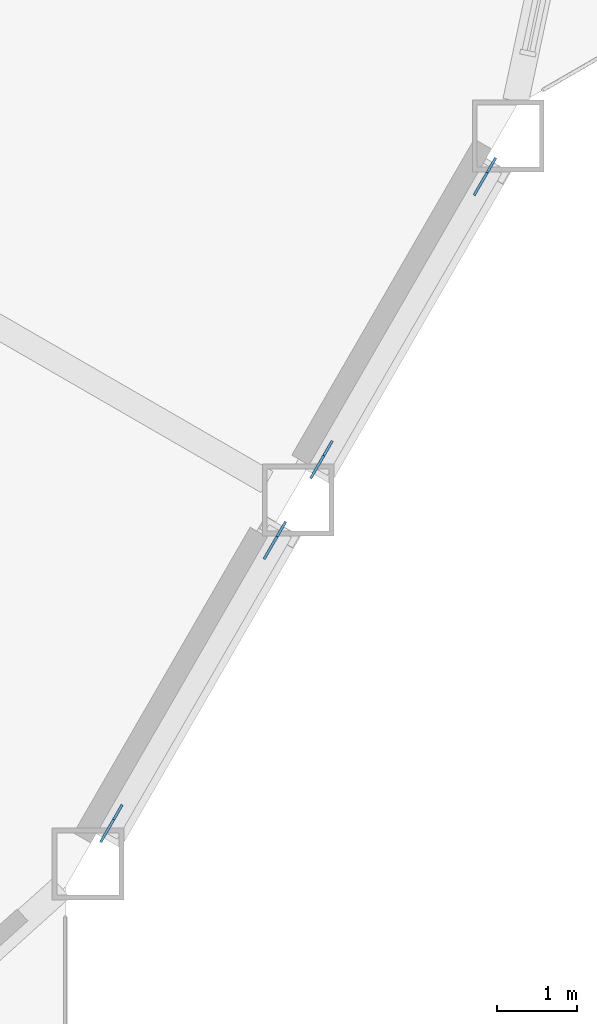
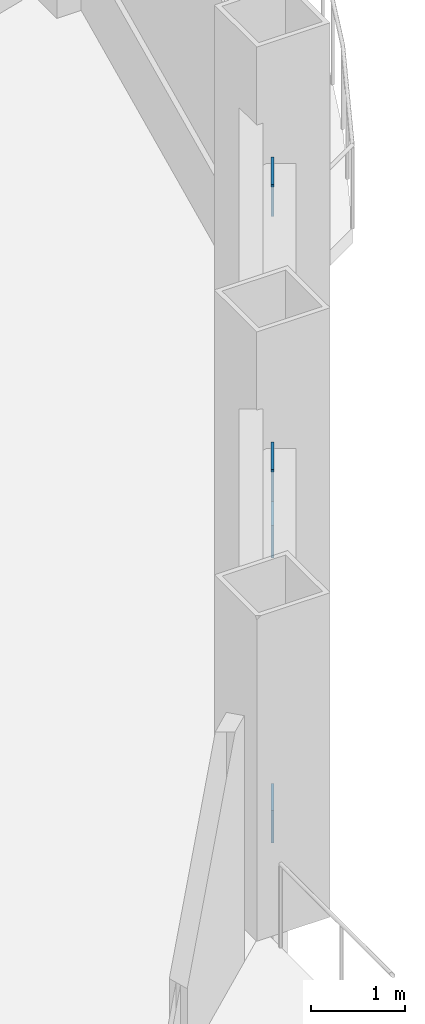
# One storey, part 15 of 21: 4 discrete accessories.
"""IFC4 building model written with IfcOpenShell, lengths in metres."""

from ifc_helpers import new_model, si_unit, direction, frame, origin, origin_2d, place, context, subcontext, project, spatial, rectangle, extrude, material, material_profile, profile_set, type_object, element, save


model = new_model("IFC4")

# Units and contexts
model_context = context("Model", 3, precision=1e-05, world=origin(), true_north=direction((0.0, 1.0)))
body_context = subcontext(model_context, "Body", "Model", "MODEL_VIEW")
ifc_project = project(units=[si_unit("LENGTHUNIT", "METRE"), si_unit("AREAUNIT", "SQUARE_METRE"), si_unit("VOLUMEUNIT", "CUBIC_METRE"), si_unit("PLANEANGLEUNIT", "RADIAN"), si_unit("MASSUNIT", "GRAM", prefix="KILO")], contexts=[model_context])

# Site, building, storey
site_placement = place(None, origin())
site = spatial("IfcSite", under=ifc_project, at=site_placement, CompositionType="ELEMENT")
building_placement = place(site_placement, origin())
building = spatial("IfcBuilding", under=site, at=building_placement, Name="Cormorant Prow Tower", CompositionType="ELEMENT")
storey_placement = place(building_placement, frame((0.0, 0.0, 133.199951171875)))
storey = spatial("IfcBuildingStorey", under=building, at=storey_placement, Name="L28", CompositionType="ELEMENT", Elevation=133.199951171875)

# Discrete accessories
ifc_material = material(Name="Structural steel ASTM A500 Gr C", Category="steel")
ifc_material_profile = material_profile(ifc_material, rectangle(XDim=0.031982421875, YDim=0.60791015625, at=origin_2d()), Name="Gusset plate 32x608")
ifc_profile_set = profile_set([ifc_material_profile], Name="Structural steel ASTM A500 Gr C")
discrete_accessory_type = type_object("IfcDiscreteAccessoryType", Name="Gusset plate 32x608", PredefinedType="BRACKET", material=ifc_profile_set)
discrete_accessory_1_placement = place(storey_placement, frame((25.8740234375, -20.158935546875, 0.882568359375), z_axis=(-0.467903125124, -0.810288273314, -0.352844979601), x_axis=(0.865987003449, -0.500066505434, 0.0)))
element("IfcDiscreteAccessory", 1, at=discrete_accessory_1_placement, inside=storey, type_object=discrete_accessory_type, Name="Gusset plate GP1 L28.ESE00.g0", PredefinedType="BRACKET", context=body_context, shape_type="SweptSolid", body=[
    extrude(rectangle(XDim=0.031982421875, YDim=0.60791015625, at=origin_2d()), origin(), (0.0, 0.0, 1.0), 0.35009765625),
])
discrete_accessory_2_placement = place(storey_placement, frame((27.76025390625, -16.8916015625, 2.306396484375), z_axis=(0.468167615655, 0.810048586848, 0.353044431477), x_axis=(-0.865800459427, 0.500389412813, 0.0)))
element("IfcDiscreteAccessory", 2, at=discrete_accessory_2_placement, inside=storey, type_object=discrete_accessory_type, Name="Gusset plate GP1 L28.ESE00.g1", PredefinedType="BRACKET", context=body_context, shape_type="SweptSolid", body=[
    extrude(rectangle(XDim=0.031982421875, YDim=0.60791015625, at=origin_2d()), origin(), (0.0, 0.0, 1.0), 0.349853515625),
])
for number, where, z_axis, x_axis, name in (
    (3, (28.5087890625, -15.59521484375, 0.882568359375), (-0.467903125124, -0.810288273314, -0.352844979601), (0.865987003449, -0.500066505434, 0.0), "Gusset plate GP1 L28.ESE01.g0"),
    (4, (30.39501953125, -12.328125, 2.306396484375), (0.467903125124, 0.810288273314, 0.352844979601), (-0.865987003449, 0.500066505434, 0.0), "Gusset plate GP1 L28.ESE01.g1"),
):
    element("IfcDiscreteAccessory", number, at=place(storey_placement, frame(where, z_axis=z_axis, x_axis=x_axis)), inside=storey, type_object=discrete_accessory_type, Name=name, PredefinedType="BRACKET", context=body_context, shape_type="SweptSolid", body=[
        extrude(rectangle(XDim=0.031982421875, YDim=0.60791015625, at=origin_2d()), origin(), (0.0, 0.0, 1.0), 0.35009765625),
    ])

save(model, "model.ifc")
